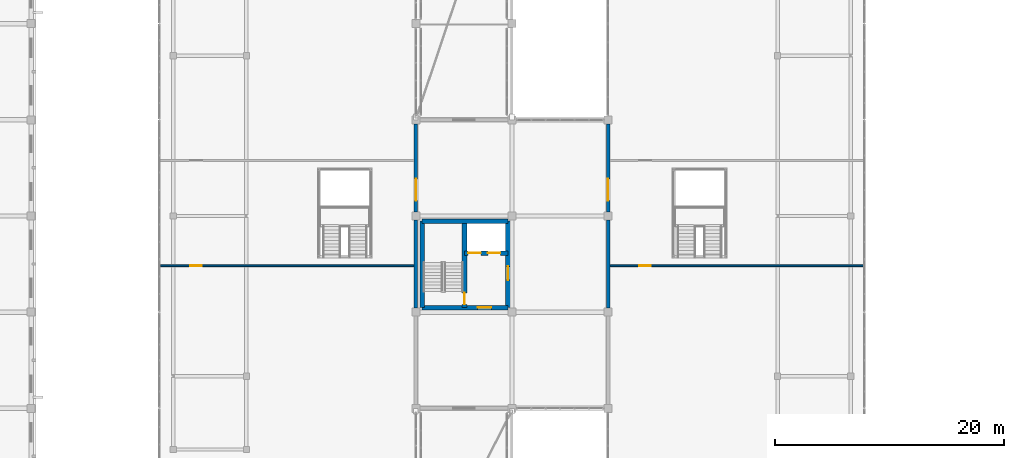
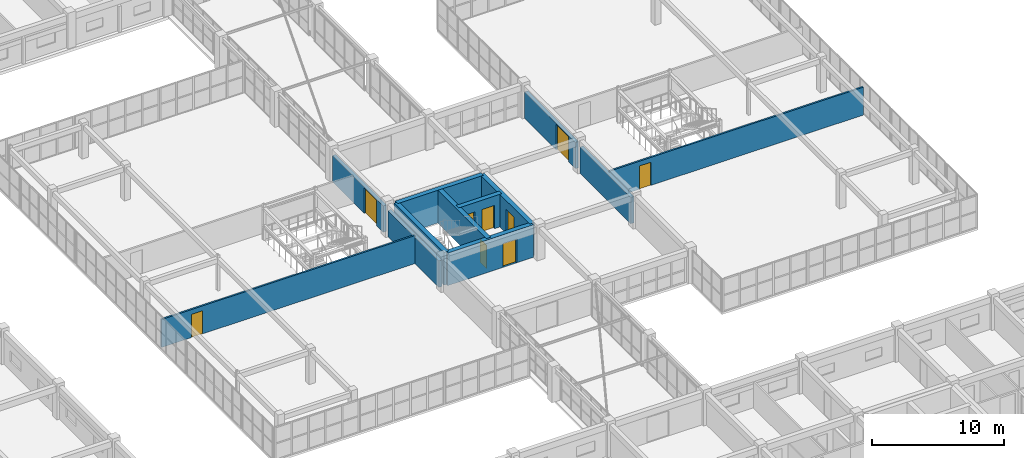
# One storey, part 120 of 148: 12 walls, 9 doors, 9 openings.
"""IFC4 building model written with IfcOpenShell, lengths in metres."""

from ifc_helpers import new_model, si_unit, direction, frame, frame_2d, origin, place, context, subcontext, project, spatial, rectangle, extrude, material, layer, layer_set, type_object, element, fill, save


model = new_model("IFC4")

# Units and contexts
model_context = context("Model", 3, precision=1e-05, world=origin(), true_north=direction((0.0, 1.0)))
body_context = subcontext(model_context, "Body", "Model", "MODEL_VIEW")
ifc_project = project(units=[si_unit("LENGTHUNIT", "METRE"), si_unit("AREAUNIT", "SQUARE_METRE"), si_unit("VOLUMEUNIT", "CUBIC_METRE"), si_unit("PLANEANGLEUNIT", "RADIAN"), si_unit("MASSUNIT", "GRAM", prefix="KILO")], contexts=[model_context])

# Site, building, storey
site_placement = place(None, origin())
site = spatial("IfcSite", under=ifc_project, at=site_placement, CompositionType="ELEMENT")
building_placement = place(site_placement, origin())
building = spatial("IfcBuilding", under=site, at=building_placement, Name="Trelvath General Hospital", CompositionType="ELEMENT")
storey_placement = place(building_placement, frame((0.0, 0.0, 12.89990234375)))
storey = spatial("IfcBuildingStorey", under=building, at=storey_placement, Name="L03", CompositionType="ELEMENT", Elevation=12.89990234375)

# Wall, opening, door
ifc_material_1 = material(Name="Gypsum acoustic steel-stud partition", Category="steel")
ifc_layer_1 = layer(ifc_material_1, 0.14990234375)
ifc_layer_set_1 = layer_set([ifc_layer_1], Name="Gypsum acoustic steel-stud partition")
wall_type_1 = type_object("IfcWallType", Name="ClinicalPartition 150", PredefinedType="PARTITIONING", material=ifc_layer_set_1)
wall_1_placement = place(storey_placement, frame((53.300048828125, 54.449951171875, 0.0), z_axis=(0.0, 0.0, 1.0), x_axis=(1.0, 0.0, 0.0)))
wall_1 = element("IfcWall", 1, at=wall_1_placement, inside=storey, type_object=wall_type_1, Name="Cube Clinic CUBE-W Partition L03-1402", PredefinedType="PARTITIONING", context=body_context, shape_type="SweptSolid", body=[
    extrude(rectangle(XDim=22.199951171875, YDim=0.14990234375, at=frame_2d((11.10009765625, 0.0))), origin(), (0.0, 0.0, 1.0), 2.590087890625),
])
opening_1_placement = place(wall_1_placement, frame((2.60009765625, 0.0, 0.0)))
opening_1 = element("IfcOpeningElement", 2, at=opening_1_placement, cuts=wall_1, Name="Opening DC-3-0987", PredefinedType="OPENING", context=body_context, shape_type="SweptSolid", body=[
    extrude(rectangle(XDim=1.0, YDim=2.14990234375, at=frame_2d((0.5, 1.074951171875))), frame((0.0, 0.0849609375, 0.0), z_axis=(0.0, -1.0, 0.0), x_axis=(1.0, 0.0, 0.0)), (0.0, 0.0, 1.0), 0.169921875),
])
ifc_material_2 = material(Name="Acoustic hospital timber leaf", Category="wood")
door_type_1 = type_object("IfcDoorType", Name="Door Consult 1000x2150", OperationType="NOTDEFINED", PredefinedType="DOOR", material=ifc_material_2)
door_1_placement = place(opening_1_placement, origin())
door_1 = element("IfcDoor", 3, at=door_1_placement, inside=storey, type_object=door_type_1, Name="Cube Clinic CUBE-W Door L03-987", OperationType="SINGLE_SWING_LEFT", OverallHeight=2.14990234375, OverallWidth=1.0, PredefinedType="DOOR", context=body_context, shape_type="SweptSolid", body=[
    extrude(rectangle(XDim=1.0, YDim=2.14990234375, at=frame_2d((0.5, 1.074951171875))), frame((0.0, 0.02490234375, 0.0), z_axis=(0.0, -1.0, 0.0), x_axis=(1.0, 0.0, 0.0)), (0.0, 0.0, 1.0), 0.050048828125),
])
fill(opening_1, door_1)

wall_2_placement = place(storey_placement, frame((92.5, 54.449951171875, 0.0), z_axis=(0.0, 0.0, 1.0), x_axis=(1.0, 0.0, 0.0)))
wall_2 = element("IfcWall", 4, at=wall_2_placement, inside=storey, type_object=wall_type_1, Name="Cube Clinic CUBE-E Partition L03-1404", PredefinedType="PARTITIONING", context=body_context, shape_type="SweptSolid", body=[
    extrude(rectangle(XDim=22.199951171875, YDim=0.14990234375, at=frame_2d((11.10009765625, 0.0))), origin(), (0.0, 0.0, 1.0), 2.590087890625),
])
opening_2_placement = place(wall_2_placement, frame((2.60009765625, 0.0, 0.0)))
opening_2 = element("IfcOpeningElement", 5, at=opening_2_placement, cuts=wall_2, Name="Opening DC-3-0989", PredefinedType="OPENING", context=body_context, shape_type="SweptSolid", body=[
    extrude(rectangle(XDim=1.0, YDim=2.14990234375, at=frame_2d((0.5, 1.074951171875))), frame((0.0, 0.0849609375, 0.0), z_axis=(0.0, -1.0, 0.0), x_axis=(1.0, 0.0, 0.0)), (0.0, 0.0, 1.0), 0.169921875),
])
door_2_placement = place(opening_2_placement, origin())
door_2 = element("IfcDoor", 6, at=door_2_placement, inside=storey, type_object=door_type_1, Name="Cube Clinic CUBE-E Door L03-989", OperationType="SINGLE_SWING_LEFT", OverallHeight=2.14990234375, OverallWidth=1.0, PredefinedType="DOOR", context=body_context, shape_type="SweptSolid", body=[
    extrude(rectangle(XDim=1.0, YDim=2.14990234375, at=frame_2d((0.5, 1.074951171875))), frame((0.0, 0.02490234375, 0.0), z_axis=(0.0, -1.0, 0.0), x_axis=(1.0, 0.0, 0.0)), (0.0, 0.0, 1.0), 0.050048828125),
])
fill(opening_2, door_2)

ifc_material_3 = material(Name="Concrete C40/50", Category="concrete")
ifc_layer_2 = layer(ifc_material_3, 0.39990234375)
ifc_layer_set_2 = layer_set([ifc_layer_2], Name="Concrete C40/50")
wall_type_2 = type_object("IfcWallType", Name="CoreShearWall 400", PredefinedType="SHEAR", material=ifc_layer_set_2)
wall_3_placement = place(storey_placement, frame((76.14990234375, 50.800048828125, 0.0), z_axis=(0.0, 0.0, 1.0), x_axis=(1.0, 0.0, 0.0)))
wall_3 = element("IfcWall", 7, at=wall_3_placement, inside=storey, type_object=wall_type_2, Name="Core Shear Wall C6 S L03", PredefinedType="SHEAR", context=body_context, shape_type="SweptSolid", body=[
    extrude(rectangle(XDim=7.5, YDim=0.39990234375, at=frame_2d((3.75, 0.0))), origin(), (0.0, 0.0, 1.0), 3.02001953125),
])
opening_3_placement = place(wall_3_placement, frame((4.85009765625, 0.0, 0.0)))
opening_3 = element("IfcOpeningElement", 8, at=opening_3_placement, cuts=wall_3, Name="Opening FD-LS63", PredefinedType="OPENING", context=body_context, shape_type="SweptSolid", body=[
    extrude(rectangle(XDim=1.199951171875, YDim=2.199951171875, at=frame_2d((0.60009765625, 1.10009765625))), frame((0.0, 0.2099609375, 0.0), z_axis=(0.0, -1.0, 0.0), x_axis=(1.0, 0.0, 0.0)), (0.0, 0.0, 1.0), 0.419921875),
])
ifc_material_4 = material(Name="Fire-rated steel door", Category="steel")
door_type_2 = type_object("IfcDoorType", Name="Door FireLobby 1200x2200", OperationType="NOTDEFINED", PredefinedType="DOOR", material=ifc_material_4)
door_3_placement = place(opening_3_placement, origin())
door_3 = element("IfcDoor", 9, at=door_3_placement, inside=storey, type_object=door_type_2, Name="Fire Lobby South Concourse Door C6 L03", OperationType="SINGLE_SWING_RIGHT", OverallHeight=2.199951171875, OverallWidth=1.199951171875, PredefinedType="DOOR", context=body_context, shape_type="SweptSolid", body=[
    extrude(rectangle(XDim=1.199951171875, YDim=2.199951171875, at=frame_2d((0.60009765625, 1.10009765625))), frame((0.0, 0.02490234375, 0.0), z_axis=(0.0, -1.0, 0.0), x_axis=(1.0, 0.0, 0.0)), (0.0, 0.0, 1.0), 0.050048828125),
])
fill(opening_3, door_3)

# Walls
wall_4_placement = place(storey_placement, frame((76.14990234375, 58.35009765625, 0.0), z_axis=(0.0, 0.0, 1.0), x_axis=(1.0, 0.0, 0.0)))
element("IfcWall", 10, at=wall_4_placement, inside=storey, type_object=wall_type_2, Name="Core Shear Wall C6 N L03", PredefinedType="SHEAR", context=body_context, shape_type="SweptSolid", body=[
    extrude(rectangle(XDim=7.5, YDim=0.39990234375, at=frame_2d((3.75, 0.0))), origin(), (0.0, 0.0, 1.0), 3.02001953125),
])
wall_5_placement = place(storey_placement, frame((76.14990234375, 50.800048828125, 0.0), z_axis=(0.0, 0.0, 1.0), x_axis=(0.0, 1.0, 0.0)))
element("IfcWall", 11, at=wall_5_placement, inside=storey, type_object=wall_type_2, Name="Core Shear Wall C6 W L03", PredefinedType="SHEAR", context=body_context, shape_type="SweptSolid", body=[
    extrude(rectangle(XDim=7.550048828125, YDim=0.39990234375, at=frame_2d((3.77490234375, 0.0))), origin(), (0.0, 0.0, 1.0), 3.02001953125),
])

# Wall, opening, door
wall_6_placement = place(storey_placement, frame((83.64990234375, 50.800048828125, 0.0), z_axis=(0.0, 0.0, 1.0), x_axis=(0.0, 1.0, 0.0)))
wall_6 = element("IfcWall", 12, at=wall_6_placement, inside=storey, type_object=wall_type_2, Name="Core Shear Wall C6 E L03", PredefinedType="SHEAR", context=body_context, shape_type="SweptSolid", body=[
    extrude(rectangle(XDim=7.550048828125, YDim=0.39990234375, at=frame_2d((3.77490234375, 0.0))), origin(), (0.0, 0.0, 1.0), 3.02001953125),
])
opening_4_placement = place(wall_6_placement, frame((2.39990234375, 0.0, 0.0)))
opening_4 = element("IfcOpeningElement", 13, at=opening_4_placement, cuts=wall_6, Name="Opening FD-LE63", PredefinedType="OPENING", context=body_context, shape_type="SweptSolid", body=[
    extrude(rectangle(XDim=1.199951171875, YDim=2.199951171875, at=frame_2d((0.60009765625, 1.10009765625))), frame((0.0, 0.2099609375, 0.0), z_axis=(0.0, -1.0, 0.0), x_axis=(1.0, 0.0, 0.0)), (0.0, 0.0, 1.0), 0.419921875),
])
door_4_placement = place(opening_4_placement, origin())
door_4 = element("IfcDoor", 14, at=door_4_placement, inside=storey, type_object=door_type_2, Name="Fire Lobby East Corridor Door C6 L03", OperationType="SINGLE_SWING_LEFT", OverallHeight=2.199951171875, OverallWidth=1.199951171875, PredefinedType="DOOR", context=body_context, shape_type="SweptSolid", body=[
    extrude(rectangle(XDim=1.199951171875, YDim=2.199951171875, at=frame_2d((0.60009765625, 1.10009765625))), frame((0.0, 0.02490234375, 0.0), z_axis=(0.0, -1.0, 0.0), x_axis=(1.0, 0.0, 0.0)), (0.0, 0.0, 1.0), 0.050048828125),
])
fill(opening_4, door_4)

wall_7_placement = place(storey_placement, frame((79.85009765625, 50.800048828125, 0.0), z_axis=(0.0, 0.0, 1.0), x_axis=(0.0, 1.0, 0.0)))
wall_7 = element("IfcWall", 15, at=wall_7_placement, inside=storey, type_object=wall_type_2, Name="Core Shear Wall C6 SPINE L03", PredefinedType="SHEAR", context=body_context, shape_type="SweptSolid", body=[
    extrude(rectangle(XDim=7.550048828125, YDim=0.39990234375, at=frame_2d((3.77490234375, 0.0))), origin(), (0.0, 0.0, 1.0), 3.02001953125),
])
opening_5_placement = place(wall_7_placement, frame((0.280029296875, 0.0, 0.0)))
opening_5 = element("IfcOpeningElement", 16, at=opening_5_placement, cuts=wall_7, Name="Opening FD-S63", PredefinedType="OPENING", context=body_context, shape_type="SweptSolid", body=[
    extrude(rectangle(XDim=1.0, YDim=2.14990234375, at=frame_2d((0.5, 1.074951171875))), frame((0.0, 0.2099609375, 0.0), z_axis=(0.0, -1.0, 0.0), x_axis=(1.0, 0.0, 0.0)), (0.0, 0.0, 1.0), 0.419921875),
])
ifc_material_5 = material(Name="Fire-rated steel door", Category="steel")
door_type_3 = type_object("IfcDoorType", Name="Door FireStair 1100x2150", OperationType="NOTDEFINED", PredefinedType="DOOR", material=ifc_material_5)
door_5_placement = place(opening_5_placement, origin())
door_5 = element("IfcDoor", 17, at=door_5_placement, inside=storey, type_object=door_type_3, Name="Exit Stair Door ST6 L03", OperationType="SINGLE_SWING_LEFT", OverallHeight=2.14990234375, OverallWidth=1.0, PredefinedType="DOOR", context=body_context, shape_type="SweptSolid", body=[
    extrude(rectangle(XDim=1.0, YDim=2.14990234375, at=frame_2d((0.5, 1.074951171875))), frame((0.0, 0.02490234375, 0.0), z_axis=(0.0, -1.0, 0.0), x_axis=(1.0, 0.0, 0.0)), (0.0, 0.0, 1.0), 0.050048828125),
])
fill(opening_5, door_5)

# Wall, openings, doors
wall_8_placement = place(storey_placement, frame((79.85009765625, 55.550048828125, 0.0), z_axis=(0.0, 0.0, 1.0), x_axis=(1.0, 0.0, 0.0)))
wall_8 = element("IfcWall", 18, at=wall_8_placement, inside=storey, type_object=wall_type_2, Name="Core Shear Wall C6 SHAFT L03", PredefinedType="SHEAR", context=body_context, shape_type="SweptSolid", body=[
    extrude(rectangle(XDim=3.7998046875, YDim=0.39990234375, at=frame_2d((1.89990234375, 0.0))), origin(), (0.0, 0.0, 1.0), 3.02001953125),
])
opening_6_placement = place(wall_8_placement, frame((0.320068359375, 0.0, 0.0)))
opening_6 = element("IfcOpeningElement", 19, at=opening_6_placement, cuts=wall_8, Name="Opening LD-PA3-3", PredefinedType="OPENING", context=body_context, shape_type="SweptSolid", body=[
    extrude(rectangle(XDim=1.10009765625, YDim=2.14990234375, at=frame_2d((0.550048828125, 1.074951171875))), frame((0.0, 0.2099609375, 0.0), z_axis=(0.0, -1.0, 0.0), x_axis=(1.0, 0.0, 0.0)), (0.0, 0.0, 1.0), 0.419921875),
])
opening_7_placement = place(wall_8_placement, frame((2.0400390625, 0.0, 0.0)))
opening_7 = element("IfcOpeningElement", 20, at=opening_7_placement, cuts=wall_8, Name="Opening LD-PA4-3", PredefinedType="OPENING", context=body_context, shape_type="SweptSolid", body=[
    extrude(rectangle(XDim=1.10009765625, YDim=2.14990234375, at=frame_2d((0.550048828125, 1.074951171875))), frame((0.0, 0.2099609375, 0.0), z_axis=(0.0, -1.0, 0.0), x_axis=(1.0, 0.0, 0.0)), (0.0, 0.0, 1.0), 0.419921875),
])
ifc_material_6 = material(Name="Stainless steel lift landing sliding door", Category="steel")
door_type_4 = type_object("IfcDoorType", Name="Door LiftLanding 1100x2150", OperationType="SLIDING_TO_LEFT", PredefinedType="DOOR", material=ifc_material_6)
door_6_placement = place(opening_6_placement, origin())
door_6 = element("IfcDoor", 21, at=door_6_placement, inside=storey, type_object=door_type_4, Name="Lift Landing Sliding Door LF-PA3 L03", OperationType="SLIDING_TO_LEFT", OverallHeight=2.14990234375, OverallWidth=1.10009765625, PredefinedType="DOOR", context=body_context, shape_type="SweptSolid", body=[
    extrude(rectangle(XDim=1.10009765625, YDim=2.14990234375, at=frame_2d((0.550048828125, 1.074951171875))), frame((0.0, 0.02490234375, 0.0), z_axis=(0.0, -1.0, 0.0), x_axis=(1.0, 0.0, 0.0)), (0.0, 0.0, 1.0), 0.050048828125),
])
fill(opening_6, door_6)
door_7_placement = place(opening_7_placement, origin())
door_7 = element("IfcDoor", 22, at=door_7_placement, inside=storey, type_object=door_type_4, Name="Lift Landing Sliding Door LF-PA4 L03", OperationType="SLIDING_TO_LEFT", OverallHeight=2.14990234375, OverallWidth=1.10009765625, PredefinedType="DOOR", context=body_context, shape_type="SweptSolid", body=[
    extrude(rectangle(XDim=1.10009765625, YDim=2.14990234375, at=frame_2d((0.550048828125, 1.074951171875))), frame((0.0, 0.02490234375, 0.0), z_axis=(0.0, -1.0, 0.0), x_axis=(1.0, 0.0, 0.0)), (0.0, 0.0, 1.0), 0.050048828125),
])
fill(opening_7, door_7)

# Wall
ifc_material_7 = material(Name="Concrete C35/45", Category="concrete")
ifc_layer_3 = layer(ifc_material_7, 0.2900390625)
ifc_layer_set_3 = layer_set([ifc_layer_3], Name="Concrete C35/45")
wall_type_3 = type_object("IfcWallType", Name="ExtBushHammeredWall 290", PredefinedType="SOLIDWALL", material=ifc_layer_set_3)
wall_9_placement = place(storey_placement, frame((75.60009765625, 50.7451171875, 0.0), z_axis=(0.0, 0.0, 1.0), x_axis=(0.0, 1.0, 0.0)))
element("IfcWall", 23, at=wall_9_placement, inside=storey, type_object=wall_type_3, Name="Exterior Concrete Wall L03-384", PredefinedType="SOLIDWALL", context=body_context, shape_type="SweptSolid", body=[
    extrude(rectangle(XDim=7.7099609375, YDim=0.2900390625, at=frame_2d((3.85498046875, 0.0))), origin(), (0.0, 0.0, 1.0), 2.440185546875),
])

# Wall, opening, door
wall_10_placement = place(storey_placement, frame((75.60009765625, 59.14501953125, 0.0), z_axis=(0.0, 0.0, 1.0), x_axis=(0.0, 1.0, 0.0)))
wall_10 = element("IfcWall", 24, at=wall_10_placement, inside=storey, type_object=wall_type_3, Name="Exterior Concrete Wall L03-386", PredefinedType="SOLIDWALL", context=body_context, shape_type="SweptSolid", body=[
    extrude(rectangle(XDim=7.7099609375, YDim=0.2900390625, at=frame_2d((3.85498046875, 0.0))), origin(), (0.0, 0.0, 1.0), 2.440185546875),
])
opening_8_placement = place(wall_10_placement, frame((1.0048828125, 0.0, 0.0)))
opening_8 = element("IfcOpeningElement", 25, at=opening_8_placement, cuts=wall_10, Name="Opening CP-3-053", PredefinedType="OPENING", context=body_context, shape_type="SweptSolid", body=[
    extrude(rectangle(XDim=1.89990234375, YDim=2.340087890625, at=frame_2d((0.949951171875, 1.169921875))), frame((0.0, 0.155029296875, 0.0), z_axis=(0.0, -1.0, 0.0), x_axis=(1.0, 0.0, 0.0)), (0.0, 0.0, 1.0), 0.31005859375),
])
ifc_material_8 = material(Name="Thermally broken glazed aluminium pair", Category="aluminium")
door_type_5 = type_object("IfcDoorType", Name="Door BridgeEntry 1900x2400", OperationType="DOUBLE_SWING_LEFT", PredefinedType="DOOR", material=ifc_material_8)
door_8_placement = place(opening_8_placement, origin())
door_8 = element("IfcDoor", 26, at=door_8_placement, inside=storey, type_object=door_type_5, Name="Crystal Cube Concourse Portal Door L03-53", OperationType="DOUBLE_SWING_LEFT", OverallHeight=2.340087890625, OverallWidth=1.89990234375, PredefinedType="DOOR", context=body_context, shape_type="SweptSolid", body=[
    extrude(rectangle(XDim=1.89990234375, YDim=2.340087890625, at=frame_2d((0.949951171875, 1.169921875))), frame((0.0, 0.02490234375, 0.0), z_axis=(0.0, -1.0, 0.0), x_axis=(1.0, 0.0, 0.0)), (0.0, 0.0, 1.0), 0.050048828125),
])
fill(opening_8, door_8)

# Wall
wall_11_placement = place(storey_placement, frame((92.39990234375, 58.455078125, 0.0), z_axis=(0.0, 0.0, 1.0), x_axis=(0.0, -1.0, 0.0)))
element("IfcWall", 27, at=wall_11_placement, inside=storey, type_object=wall_type_3, Name="Exterior Concrete Wall L03-392", PredefinedType="SOLIDWALL", context=body_context, shape_type="SweptSolid", body=[
    extrude(rectangle(XDim=7.7099609375, YDim=0.2900390625, at=frame_2d((3.85498046875, 0.0))), origin(), (0.0, 0.0, 1.0), 2.440185546875),
])

# Wall, opening, door
wall_12_placement = place(storey_placement, frame((92.39990234375, 66.85498046875, 0.0), z_axis=(0.0, 0.0, 1.0), x_axis=(0.0, -1.0, 0.0)))
wall_12 = element("IfcWall", 28, at=wall_12_placement, inside=storey, type_object=wall_type_3, Name="Exterior Concrete Wall L03-393", PredefinedType="SOLIDWALL", context=body_context, shape_type="SweptSolid", body=[
    extrude(rectangle(XDim=7.7099609375, YDim=0.2900390625, at=frame_2d((3.85498046875, 0.0))), origin(), (0.0, 0.0, 1.0), 2.440185546875),
])
opening_9_placement = place(wall_12_placement, frame((4.804931640625, 0.0, 0.0)))
opening_9 = element("IfcOpeningElement", 29, at=opening_9_placement, cuts=wall_12, Name="Opening CP-3-055", PredefinedType="OPENING", context=body_context, shape_type="SweptSolid", body=[
    extrude(rectangle(XDim=1.89990234375, YDim=2.340087890625, at=frame_2d((0.949951171875, 1.169921875))), frame((0.0, 0.155029296875, 0.0), z_axis=(0.0, -1.0, 0.0), x_axis=(1.0, 0.0, 0.0)), (0.0, 0.0, 1.0), 0.31005859375),
])
door_9_placement = place(opening_9_placement, origin())
door_9 = element("IfcDoor", 30, at=door_9_placement, inside=storey, type_object=door_type_5, Name="Crystal Cube Concourse Portal Door L03-55", OperationType="DOUBLE_SWING_LEFT", OverallHeight=2.340087890625, OverallWidth=1.89990234375, PredefinedType="DOOR", context=body_context, shape_type="SweptSolid", body=[
    extrude(rectangle(XDim=1.89990234375, YDim=2.340087890625, at=frame_2d((0.949951171875, 1.169921875))), frame((0.0, 0.02490234375, 0.0), z_axis=(0.0, -1.0, 0.0), x_axis=(1.0, 0.0, 0.0)), (0.0, 0.0, 1.0), 0.050048828125),
])
fill(opening_9, door_9)

save(model, "model.ifc")
